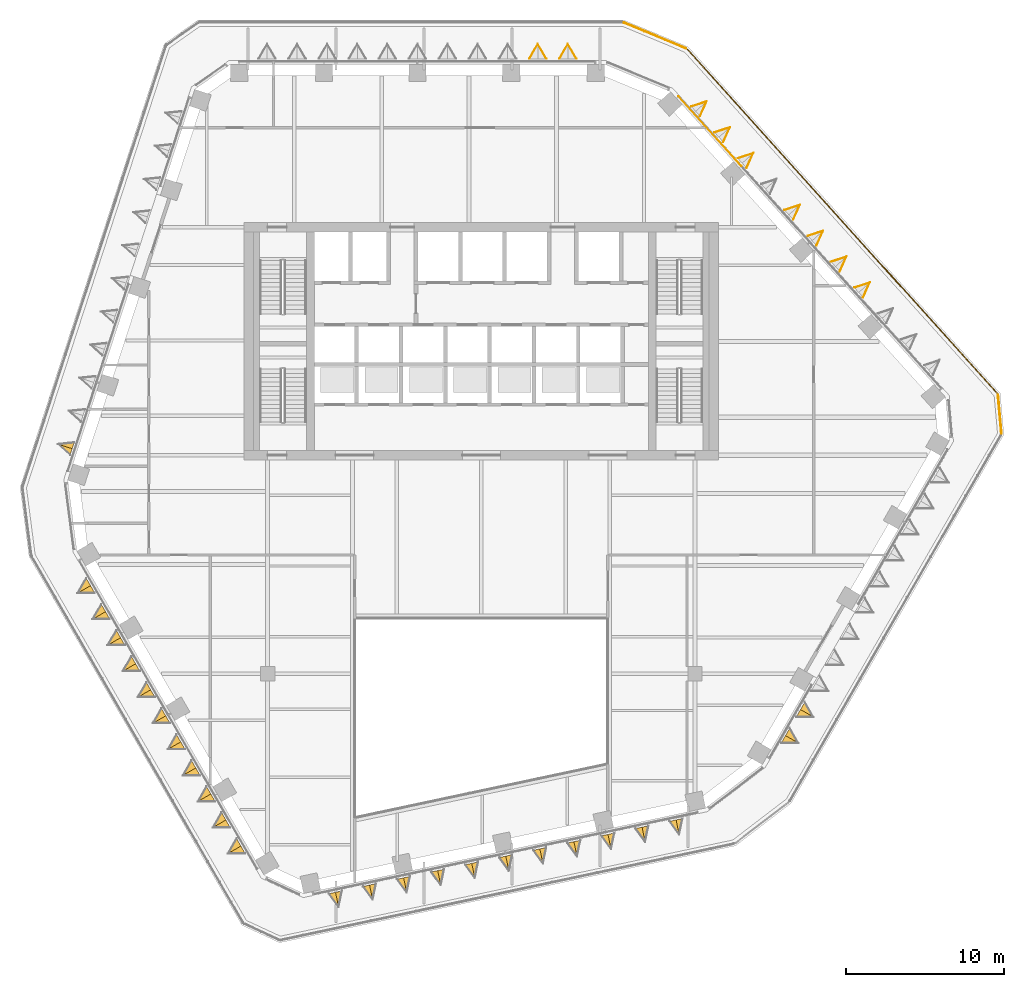
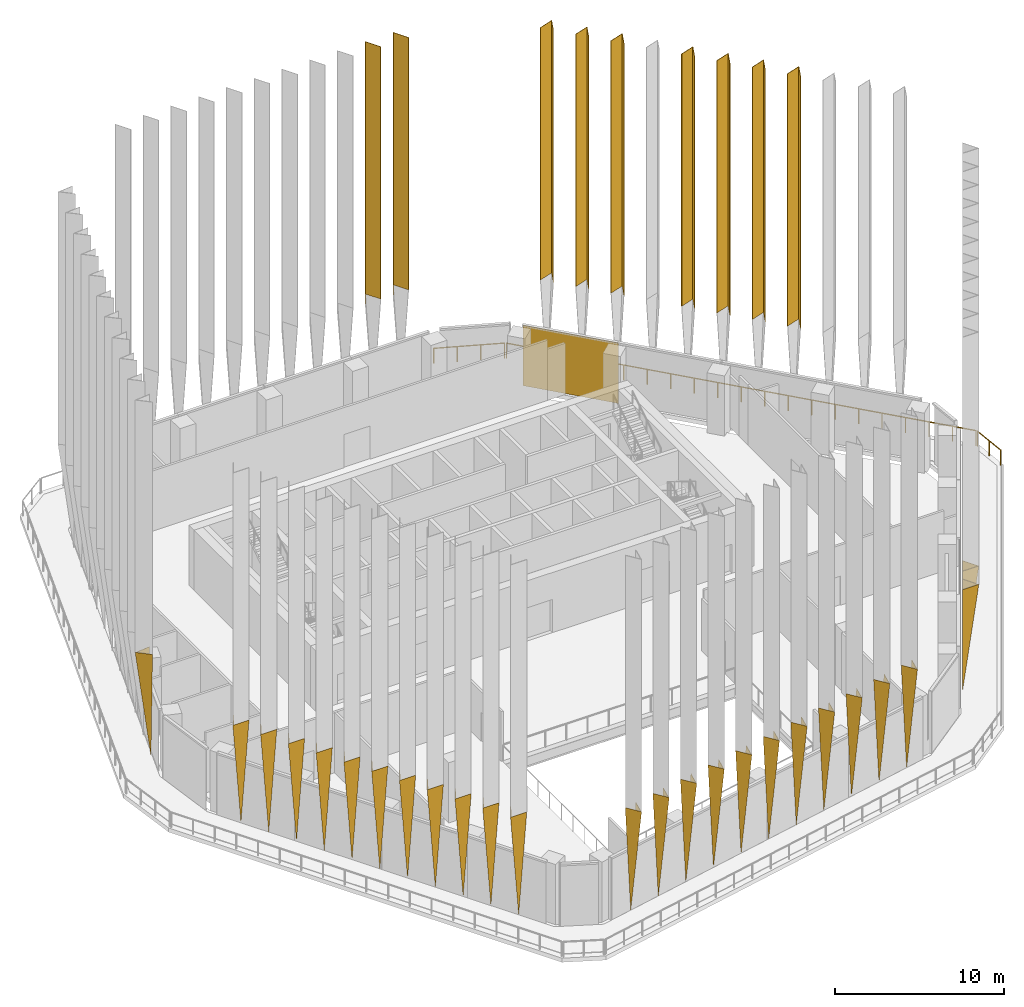
# One storey, part 18 of 21: 35 coverings, 3 railings, 1 element without a shape of its own.
"""IFC4 building model written with IfcOpenShell, lengths in metres."""

from ifc_helpers import new_model, si_unit, direction, frame, origin, origin_2d, place, context, subcontext, project, spatial, polyline, rectangle, circle, outline, extrude, faceted_brep, material, layer, layer_set, material_profile, profile_set, type_object, element, aggregate, save


model = new_model("IFC4")

# Units and contexts
model_context = context("Model", 3, precision=1e-05, world=origin(), true_north=direction((0.0, 1.0)))
body_context = subcontext(model_context, "Body", "Model", "MODEL_VIEW")
ifc_project = project(units=[si_unit("LENGTHUNIT", "METRE"), si_unit("AREAUNIT", "SQUARE_METRE"), si_unit("VOLUMEUNIT", "CUBIC_METRE"), si_unit("PLANEANGLEUNIT", "RADIAN"), si_unit("MASSUNIT", "GRAM", prefix="KILO")], contexts=[model_context])

# Site, building, storey
site_placement = place(None, origin())
site = spatial("IfcSite", under=ifc_project, at=site_placement, CompositionType="ELEMENT")
building_placement = place(site_placement, origin())
building = spatial("IfcBuilding", under=site, at=building_placement, Name="Isthmus Gate Tower", CompositionType="ELEMENT")
storey_placement = place(building_placement, frame((0.0, 0.0, 211.800048828125)))
storey = spatial("IfcBuildingStorey", under=building, at=storey_placement, Name="L53", CompositionType="ELEMENT", Elevation=211.800048828125)

# Curtain wall, covering
ifc_material_1 = material(Name="Aluminium, pale champagne anodised", Category="aluminium")
ifc_layer_1 = layer(ifc_material_1, 0.199951171875)
ifc_layer_set_1 = layer_set([ifc_layer_1], Name="CW-1 UNITISED CURTAIN WALL 200 DEEP")
curtain_wall_type = type_object("IfcCurtainWallType", Name="CW-1 UNITISED CURTAIN WALL 200 DEEP", PredefinedType="NOTDEFINED", material=ifc_layer_set_1)
curtain_wall_placement = place(storey_placement, origin())
curtain_wall = element("IfcCurtainWall", 1, at=curtain_wall_placement, inside=storey, type_object=curtain_wall_type, Name="CW-1 NE L53", PredefinedType="NOTDEFINED")
ifc_material_2 = material(Name="Aluminium composite panel, pale champagne anodised", Category="aluminium")
ifc_layer_2 = layer(ifc_material_2, 0.031982421875)
ifc_layer_set_2 = layer_set([ifc_layer_2], Name="CW-1 PALE METAL PANEL 32")
covering_type_1 = type_object("IfcCoveringType", Name="CW-1 PALE METAL PANEL 32", PredefinedType="CLADDING", material=ifc_layer_set_2)
covering_1_placement = place(storey_placement, frame((14.447021484375, 20.775390625, 0.0), z_axis=(0.0, 0.0, 1.0), x_axis=(-0.669130606359, 0.743144825477, 0.0)))
covering_1 = element("IfcCovering", 2, at=covering_1_placement, type_object=covering_type_1, Name="CW-1 pale metal panel", PredefinedType="CLADDING", context=body_context, shape_type="SweptSolid", body=[
    extrude(rectangle(XDim=5.94189453125, YDim=0.031982421875, at=origin_2d()), origin(), (0.0, 0.0, 1.0), 4.3701171875),
])
aggregate(curtain_wall, [covering_1])

# Coverings
ifc_material_3 = material(Name="Structural steel ASTM A572 Gr 50, white paint system", Category="steel")
ifc_material_profile_1 = material_profile(ifc_material_3, outline(polyline([(0.0, -0.427490234375), (0.9599609375, 0.0), (0.0, 0.427490234375), (0.0, 0.39453125), (0.88623046875, 0.0), (0.0, -0.39453125), (0.0, -0.427490234375)])), Name="V960")
ifc_profile_set_1 = profile_set([ifc_material_profile_1], Name="Structural steel ASTM A572 Gr 50, white paint system")
covering_type_2 = type_object("IfcCoveringType", Name="FIN V 960 DEEP", PredefinedType="CLADDING", material=ifc_profile_set_1)
for number, where, z_axis, x_axis, name in (
    (3, (23.846435546875, 10.58447265625, 7.75), (0.0, 0.0, 1.0), (0.743144825477, 0.669130606359, 0.0), "FIN"),
    (4, (22.374267578125, 12.21923828125, 7.75), (0.0, 0.0, 1.0), (0.743144825477, 0.669130606359, 0.0), "FIN"),
    (5, (20.90234375, 13.854248046875, 7.75), (0.0, 0.0, 1.0), (0.743144825477, 0.669130606359, 0.0), "FIN"),
    (6, (19.43017578125, 15.489013671875, 7.75), (0.0, 0.0, 1.0), (0.743144825477, 0.669130606359, 0.0), "FIN"),
    (7, (16.486083984375, 18.759033203125, 7.75), (0.0, 0.0, 1.0), (0.743144825477, 0.669130606359, 0.0), "FIN"),
    (8, (15.013916015625, 20.393798828125, 7.75), (0.0, 0.0, 1.0), (0.743144825477, 0.669130606359, 0.0), "FIN"),
    (9, (13.541748046875, 22.02880859375, 7.75), (0.0, 0.0, 1.0), (0.743144825477, 0.669130606359, 0.0), "FIN"),
):
    element("IfcCovering", number, at=place(storey_placement, frame(where, z_axis=z_axis, x_axis=x_axis)), inside=storey, type_object=covering_type_2, Name=name, ObjectType="FIN", PredefinedType="CLADDING", context=body_context, shape_type="SweptSolid", body=[
        extrude(outline(polyline([(0.0, -0.427490234375), (0.9599609375, 0.0), (0.0, 0.427490234375), (0.0, 0.39453125), (0.88623046875, 0.0), (0.0, -0.39453125), (0.0, -0.427490234375)])), origin(), (0.0, 0.0, 1.0), 18.25),
    ])
ifc_material_4 = material(Name="Structural steel ASTM A572 Gr 50, white paint system", Category="steel")
ifc_material_profile_2 = material_profile(ifc_material_4, outline(polyline([(0.0, -0.427490234375), (0.9599609375, 0.0), (0.0, 0.427490234375), (0.0, 0.39453125), (0.88623046875, 0.0), (0.0, -0.39453125), (0.0, -0.427490234375)])), Name="V960")
ifc_profile_set_2 = profile_set([ifc_material_profile_2], Name="Structural steel ASTM A572 Gr 50, white paint system")
covering_type_3 = type_object("IfcCoveringType", Name="FIN V 960 DEEP FOOT", PredefinedType="CLADDING", material=ifc_profile_set_2)
covering_2_placement = place(storey_placement, frame((0.0, 0.0, -211.800048828125)))
element("IfcCovering", 10, at=covering_2_placement, inside=storey, type_object=covering_type_3, Name="FIN", ObjectType="FIN", PredefinedType="CLADDING", context=body_context, shape_type="Brep", body=[
    faceted_brep([(-25.71630859375, 1.11962890625, 219.550048828125), (-26.761474609375, 1.009765625, 219.550048828125), (-25.98046875, 0.306640625, 219.550048828125), (-25.97021484375, 0.337890625, 219.550048828125), (-26.691162109375, 0.987060546875, 219.550048828125), (-25.7265625, 1.08837890625, 219.550048828125), (-25.848388671875, 0.713134765625, 211.89990234375)], [[[0, 1, 2, 3, 4, 5]], [[1, 0, 6]], [[2, 1, 6]], [[3, 2, 6]], [[4, 3, 6]], [[5, 4, 6]], [[0, 5, 6]]]),
])
covering_3_placement = place(storey_placement, frame((0.0, 0.0, -211.800048828125)))
element("IfcCovering", 11, at=covering_3_placement, inside=storey, type_object=covering_type_3, Name="FIN", ObjectType="FIN", PredefinedType="CLADDING", context=body_context, shape_type="Brep", body=[
    faceted_brep([(-9.630615234375, -27.40478515625, 219.550048828125), (-9.012939453125, -28.2548828125, 219.550048828125), (-8.794677734375, -27.22705078125, 219.550048828125), (-8.82666015625, -27.23388671875, 219.550048828125), (-9.0283203125, -28.182861328125, 219.550048828125), (-9.5986328125, -27.39794921875, 219.550048828125), (-9.212646484375, -27.31591796875, 211.89990234375)], [[[0, 1, 2, 3, 4, 5]], [[1, 0, 6]], [[2, 1, 6]], [[3, 2, 6]], [[4, 3, 6]], [[5, 4, 6]], [[0, 5, 6]]]),
])
covering_4_placement = place(storey_placement, frame((0.0, 0.0, -211.800048828125)))
element("IfcCovering", 12, at=covering_4_placement, inside=storey, type_object=covering_type_3, Name="FIN", ObjectType="FIN", PredefinedType="CLADDING", context=body_context, shape_type="Brep", body=[
    faceted_brep([(-7.478759765625, -26.947509765625, 219.550048828125), (-6.861083984375, -27.797607421875, 219.550048828125), (-6.642822265625, -26.769775390625, 219.550048828125), (-6.6748046875, -26.776611328125, 219.550048828125), (-6.87646484375, -27.7255859375, 219.550048828125), (-7.44677734375, -26.940673828125, 219.550048828125), (-7.060791015625, -26.858642578125, 211.89990234375)], [[[0, 1, 2, 3, 4, 5]], [[1, 0, 6]], [[2, 1, 6]], [[3, 2, 6]], [[4, 3, 6]], [[5, 4, 6]], [[0, 5, 6]]]),
])
covering_5_placement = place(storey_placement, frame((0.0, 0.0, -211.800048828125)))
element("IfcCovering", 13, at=covering_5_placement, inside=storey, type_object=covering_type_3, Name="FIN", ObjectType="FIN", PredefinedType="CLADDING", context=body_context, shape_type="Brep", body=[
    faceted_brep([(-5.326904296875, -26.489990234375, 219.550048828125), (-4.709228515625, -27.340087890625, 219.550048828125), (-4.490966796875, -26.312255859375, 219.550048828125), (-4.52294921875, -26.319091796875, 219.550048828125), (-4.724609375, -27.26806640625, 219.550048828125), (-5.294921875, -26.483154296875, 219.550048828125), (-4.908935546875, -26.401123046875, 211.89990234375)], [[[0, 1, 2, 3, 4, 5]], [[1, 0, 6]], [[2, 1, 6]], [[3, 2, 6]], [[4, 3, 6]], [[5, 4, 6]], [[0, 5, 6]]]),
])
covering_6_placement = place(storey_placement, frame((0.0, 0.0, -211.800048828125)))
element("IfcCovering", 14, at=covering_6_placement, inside=storey, type_object=covering_type_3, Name="FIN", ObjectType="FIN", PredefinedType="CLADDING", context=body_context, shape_type="Brep", body=[
    faceted_brep([(-3.1748046875, -26.03271484375, 219.550048828125), (-2.55712890625, -26.8828125, 219.550048828125), (-2.3388671875, -25.85498046875, 219.550048828125), (-2.370849609375, -25.86181640625, 219.550048828125), (-2.572509765625, -26.810791015625, 219.550048828125), (-3.142822265625, -26.02587890625, 219.550048828125), (-2.7568359375, -25.94384765625, 211.89990234375)], [[[0, 1, 2, 3, 4, 5]], [[1, 0, 6]], [[2, 1, 6]], [[3, 2, 6]], [[4, 3, 6]], [[5, 4, 6]], [[0, 5, 6]]]),
])
covering_7_placement = place(storey_placement, frame((0.0, 0.0, -211.800048828125)))
element("IfcCovering", 15, at=covering_7_placement, inside=storey, type_object=covering_type_3, Name="FIN", ObjectType="FIN", PredefinedType="CLADDING", context=body_context, shape_type="Brep", body=[
    faceted_brep([(-1.02294921875, -25.5751953125, 219.550048828125), (-0.4052734375, -26.42529296875, 219.550048828125), (-0.18701171875, -25.3974609375, 219.550048828125), (-0.218994140625, -25.404296875, 219.550048828125), (-0.420654296875, -26.353271484375, 219.550048828125), (-0.990966796875, -25.568359375, 219.550048828125), (-0.60498046875, -25.486328125, 211.89990234375)], [[[0, 1, 2, 3, 4, 5]], [[1, 0, 6]], [[2, 1, 6]], [[3, 2, 6]], [[4, 3, 6]], [[5, 4, 6]], [[0, 5, 6]]]),
])
covering_8_placement = place(storey_placement, frame((0.0, 0.0, -211.800048828125)))
element("IfcCovering", 16, at=covering_8_placement, inside=storey, type_object=covering_type_3, Name="FIN", ObjectType="FIN", PredefinedType="CLADDING", context=body_context, shape_type="Brep", body=[
    faceted_brep([(1.12890625, -25.117919921875, 219.550048828125), (1.74658203125, -25.968017578125, 219.550048828125), (1.96484375, -24.940185546875, 219.550048828125), (1.932861328125, -24.947021484375, 219.550048828125), (1.731201171875, -25.89599609375, 219.550048828125), (1.160888671875, -25.111083984375, 219.550048828125), (1.546875, -25.029052734375, 211.89990234375)], [[[0, 1, 2, 3, 4, 5]], [[1, 0, 6]], [[2, 1, 6]], [[3, 2, 6]], [[4, 3, 6]], [[5, 4, 6]], [[0, 5, 6]]]),
])
covering_9_placement = place(storey_placement, frame((0.0, 0.0, -211.800048828125)))
element("IfcCovering", 17, at=covering_9_placement, inside=storey, type_object=covering_type_3, Name="FIN", ObjectType="FIN", PredefinedType="CLADDING", context=body_context, shape_type="Brep", body=[
    faceted_brep([(3.281005859375, -24.660400390625, 219.550048828125), (3.898681640625, -25.510498046875, 219.550048828125), (4.116943359375, -24.482666015625, 219.550048828125), (4.0849609375, -24.489501953125, 219.550048828125), (3.88330078125, -25.4384765625, 219.550048828125), (3.31298828125, -24.653564453125, 219.550048828125), (3.698974609375, -24.571533203125, 211.89990234375)], [[[0, 1, 2, 3, 4, 5]], [[1, 0, 6]], [[2, 1, 6]], [[3, 2, 6]], [[4, 3, 6]], [[5, 4, 6]], [[0, 5, 6]]]),
])
covering_10_placement = place(storey_placement, frame((0.0, 0.0, -211.800048828125)))
element("IfcCovering", 18, at=covering_10_placement, inside=storey, type_object=covering_type_3, Name="FIN", ObjectType="FIN", PredefinedType="CLADDING", context=body_context, shape_type="Brep", body=[
    faceted_brep([(5.432861328125, -24.203125, 219.550048828125), (6.050537109375, -25.05322265625, 219.550048828125), (6.268798828125, -24.025390625, 219.550048828125), (6.23681640625, -24.0322265625, 219.550048828125), (6.03515625, -24.981201171875, 219.550048828125), (5.46484375, -24.1962890625, 219.550048828125), (5.850830078125, -24.1142578125, 211.89990234375)], [[[0, 1, 2, 3, 4, 5]], [[1, 0, 6]], [[2, 1, 6]], [[3, 2, 6]], [[4, 3, 6]], [[5, 4, 6]], [[0, 5, 6]]]),
])
covering_11_placement = place(storey_placement, frame((0.0, 0.0, -211.800048828125)))
element("IfcCovering", 19, at=covering_11_placement, inside=storey, type_object=covering_type_3, Name="FIN", ObjectType="FIN", PredefinedType="CLADDING", context=body_context, shape_type="Brep", body=[
    faceted_brep([(7.584716796875, -23.74560546875, 219.550048828125), (8.202392578125, -24.595703125, 219.550048828125), (8.420654296875, -23.56787109375, 219.550048828125), (8.388671875, -23.57470703125, 219.550048828125), (8.18701171875, -24.523681640625, 219.550048828125), (7.61669921875, -23.73876953125, 219.550048828125), (8.002685546875, -23.65673828125, 211.89990234375)], [[[0, 1, 2, 3, 4, 5]], [[1, 0, 6]], [[2, 1, 6]], [[3, 2, 6]], [[4, 3, 6]], [[5, 4, 6]], [[0, 5, 6]]]),
])
covering_12_placement = place(storey_placement, frame((0.0, 0.0, -211.800048828125)))
element("IfcCovering", 20, at=covering_12_placement, inside=storey, type_object=covering_type_3, Name="FIN", ObjectType="FIN", PredefinedType="CLADDING", context=body_context, shape_type="Brep", body=[
    faceted_brep([(9.736572265625, -23.288330078125, 219.550048828125), (10.354248046875, -24.138427734375, 219.550048828125), (10.572509765625, -23.110595703125, 219.550048828125), (10.54052734375, -23.117431640625, 219.550048828125), (10.3388671875, -24.06640625, 219.550048828125), (9.7685546875, -23.281494140625, 219.550048828125), (10.154541015625, -23.199462890625, 211.89990234375)], [[[0, 1, 2, 3, 4, 5]], [[1, 0, 6]], [[2, 1, 6]], [[3, 2, 6]], [[4, 3, 6]], [[5, 4, 6]], [[0, 5, 6]]]),
])
covering_13_placement = place(storey_placement, frame((0.0, 0.0, -211.800048828125)))
element("IfcCovering", 21, at=covering_13_placement, inside=storey, type_object=covering_type_3, Name="FIN", ObjectType="FIN", PredefinedType="CLADDING", context=body_context, shape_type="Brep", body=[
    faceted_brep([(11.888671875, -22.830810546875, 219.550048828125), (12.50634765625, -23.680908203125, 219.550048828125), (12.724609375, -22.653076171875, 219.550048828125), (12.692626953125, -22.659912109375, 219.550048828125), (12.490966796875, -23.60888671875, 219.550048828125), (11.920654296875, -22.823974609375, 219.550048828125), (12.306640625, -22.741943359375, 211.89990234375)], [[[0, 1, 2, 3, 4, 5]], [[1, 0, 6]], [[2, 1, 6]], [[3, 2, 6]], [[4, 3, 6]], [[5, 4, 6]], [[0, 5, 6]]]),
])
ifc_material_5 = material(Name="Structural steel ASTM A572 Gr 50, white paint system", Category="steel")
ifc_material_profile_3 = material_profile(ifc_material_5, outline(polyline([(0.0, -0.55419921875), (0.9599609375, 0.0), (0.0, 0.55419921875), (0.0, 0.51953125), (0.89990234375, 0.0), (0.0, -0.51953125), (0.0, -0.55419921875)])), Name="V960W")
ifc_profile_set_3 = profile_set([ifc_material_profile_3], Name="Structural steel ASTM A572 Gr 50, white paint system")
covering_type_4 = type_object("IfcCoveringType", Name="FIN V 960 DEEP WIDE", PredefinedType="CLADDING", material=ifc_profile_set_3)
for number, where, z_axis, x_axis, name in (
    (22, (5.469970703125, 25.35009765625, 7.75), (0.0, 0.0, 1.0), (0.0, 1.0, 0.0), "FIN"),
    (23, (3.56982421875, 25.35009765625, 7.75), (0.0, 0.0, 1.0), (0.0, 1.0, 0.0), "FIN"),
):
    element("IfcCovering", number, at=place(storey_placement, frame(where, z_axis=z_axis, x_axis=x_axis)), inside=storey, type_object=covering_type_4, Name=name, ObjectType="FIN", PredefinedType="CLADDING", context=body_context, shape_type="SweptSolid", body=[
        extrude(outline(polyline([(0.0, -0.55419921875), (0.9599609375, 0.0), (0.0, 0.55419921875), (0.0, 0.51953125), (0.89990234375, 0.0), (0.0, -0.51953125), (0.0, -0.55419921875)])), origin(), (0.0, 0.0, 1.0), 18.25),
    ])
ifc_material_6 = material(Name="Structural steel ASTM A572 Gr 50, white paint system", Category="steel")
ifc_material_profile_4 = material_profile(ifc_material_6, outline(polyline([(0.0, -0.55419921875), (0.9599609375, 0.0), (0.0, 0.55419921875), (0.0, 0.51953125), (0.89990234375, 0.0), (0.0, -0.51953125), (0.0, -0.55419921875)])), Name="V960W")
ifc_profile_set_4 = profile_set([ifc_material_profile_4], Name="Structural steel ASTM A572 Gr 50, white paint system")
covering_type_5 = type_object("IfcCoveringType", Name="FIN V 960 DEEP WIDE FOOT", PredefinedType="CLADDING", material=ifc_profile_set_4)
covering_14_placement = place(storey_placement, frame((0.0, 0.0, -211.800048828125)))
element("IfcCovering", 24, at=covering_14_placement, inside=storey, type_object=covering_type_5, Name="FIN", ObjectType="FIN", PredefinedType="CLADDING", context=body_context, shape_type="Brep", body=[
    faceted_brep([(-24.9658203125, -7.4580078125, 219.550048828125), (-25.52001953125, -8.41796875, 219.550048828125), (-24.41162109375, -8.41796875, 219.550048828125), (-24.428955078125, -8.387939453125, 219.550048828125), (-25.46826171875, -8.387939453125, 219.550048828125), (-24.948486328125, -7.488037109375, 219.550048828125), (-24.688720703125, -7.93798828125, 211.89990234375)], [[[0, 1, 2, 3, 4, 5]], [[1, 0, 6]], [[2, 1, 6]], [[3, 2, 6]], [[4, 3, 6]], [[5, 4, 6]], [[0, 5, 6]]]),
])
covering_15_placement = place(storey_placement, frame((0.0, 0.0, -211.800048828125)))
element("IfcCovering", 25, at=covering_15_placement, inside=storey, type_object=covering_type_5, Name="FIN", ObjectType="FIN", PredefinedType="CLADDING", context=body_context, shape_type="Brep", body=[
    faceted_brep([(-24.015869140625, -9.103271484375, 219.550048828125), (-24.570068359375, -10.063232421875, 219.550048828125), (-23.461669921875, -10.063232421875, 219.550048828125), (-23.47900390625, -10.033203125, 219.550048828125), (-24.518310546875, -10.033203125, 219.550048828125), (-23.99853515625, -9.13330078125, 219.550048828125), (-23.73876953125, -9.583251953125, 211.89990234375)], [[[0, 1, 2, 3, 4, 5]], [[1, 0, 6]], [[2, 1, 6]], [[3, 2, 6]], [[4, 3, 6]], [[5, 4, 6]], [[0, 5, 6]]]),
])
covering_16_placement = place(storey_placement, frame((0.0, 0.0, -211.800048828125)))
element("IfcCovering", 26, at=covering_16_placement, inside=storey, type_object=covering_type_5, Name="FIN", ObjectType="FIN", PredefinedType="CLADDING", context=body_context, shape_type="Brep", body=[
    faceted_brep([(-23.06591796875, -10.748779296875, 219.550048828125), (-23.6201171875, -11.708740234375, 219.550048828125), (-22.51171875, -11.708740234375, 219.550048828125), (-22.529052734375, -11.6787109375, 219.550048828125), (-23.568359375, -11.6787109375, 219.550048828125), (-23.048583984375, -10.77880859375, 219.550048828125), (-22.788818359375, -11.228759765625, 211.89990234375)], [[[0, 1, 2, 3, 4, 5]], [[1, 0, 6]], [[2, 1, 6]], [[3, 2, 6]], [[4, 3, 6]], [[5, 4, 6]], [[0, 5, 6]]]),
])
covering_17_placement = place(storey_placement, frame((0.0, 0.0, -211.800048828125)))
element("IfcCovering", 27, at=covering_17_placement, inside=storey, type_object=covering_type_5, Name="FIN", ObjectType="FIN", PredefinedType="CLADDING", context=body_context, shape_type="Brep", body=[
    faceted_brep([(-22.11572265625, -12.394287109375, 219.550048828125), (-22.669921875, -13.354248046875, 219.550048828125), (-21.5615234375, -13.354248046875, 219.550048828125), (-21.578857421875, -13.32421875, 219.550048828125), (-22.6181640625, -13.32421875, 219.550048828125), (-22.098388671875, -12.42431640625, 219.550048828125), (-21.838623046875, -12.874267578125, 211.89990234375)], [[[0, 1, 2, 3, 4, 5]], [[1, 0, 6]], [[2, 1, 6]], [[3, 2, 6]], [[4, 3, 6]], [[5, 4, 6]], [[0, 5, 6]]]),
])
covering_18_placement = place(storey_placement, frame((0.0, 0.0, -211.800048828125)))
element("IfcCovering", 28, at=covering_18_placement, inside=storey, type_object=covering_type_5, Name="FIN", ObjectType="FIN", PredefinedType="CLADDING", context=body_context, shape_type="Brep", body=[
    faceted_brep([(-21.165771484375, -14.039794921875, 219.550048828125), (-21.719970703125, -14.999755859375, 219.550048828125), (-20.611572265625, -14.999755859375, 219.550048828125), (-20.62890625, -14.9697265625, 219.550048828125), (-21.668212890625, -14.9697265625, 219.550048828125), (-21.1484375, -14.06982421875, 219.550048828125), (-20.888671875, -14.519775390625, 211.89990234375)], [[[0, 1, 2, 3, 4, 5]], [[1, 0, 6]], [[2, 1, 6]], [[3, 2, 6]], [[4, 3, 6]], [[5, 4, 6]], [[0, 5, 6]]]),
])
covering_19_placement = place(storey_placement, frame((0.0, 0.0, -211.800048828125)))
element("IfcCovering", 29, at=covering_19_placement, inside=storey, type_object=covering_type_5, Name="FIN", ObjectType="FIN", PredefinedType="CLADDING", context=body_context, shape_type="Brep", body=[
    faceted_brep([(-20.2158203125, -15.68505859375, 219.550048828125), (-20.77001953125, -16.64501953125, 219.550048828125), (-19.66162109375, -16.64501953125, 219.550048828125), (-19.678955078125, -16.614990234375, 219.550048828125), (-20.71826171875, -16.614990234375, 219.550048828125), (-20.198486328125, -15.715087890625, 219.550048828125), (-19.938720703125, -16.1650390625, 211.89990234375)], [[[0, 1, 2, 3, 4, 5]], [[1, 0, 6]], [[2, 1, 6]], [[3, 2, 6]], [[4, 3, 6]], [[5, 4, 6]], [[0, 5, 6]]]),
])
covering_20_placement = place(storey_placement, frame((0.0, 0.0, -211.800048828125)))
element("IfcCovering", 30, at=covering_20_placement, inside=storey, type_object=covering_type_5, Name="FIN", ObjectType="FIN", PredefinedType="CLADDING", context=body_context, shape_type="Brep", body=[
    faceted_brep([(-19.265869140625, -17.33056640625, 219.550048828125), (-19.820068359375, -18.29052734375, 219.550048828125), (-18.711669921875, -18.29052734375, 219.550048828125), (-18.72900390625, -18.260498046875, 219.550048828125), (-19.768310546875, -18.260498046875, 219.550048828125), (-19.24853515625, -17.360595703125, 219.550048828125), (-18.98876953125, -17.810546875, 211.89990234375)], [[[0, 1, 2, 3, 4, 5]], [[1, 0, 6]], [[2, 1, 6]], [[3, 2, 6]], [[4, 3, 6]], [[5, 4, 6]], [[0, 5, 6]]]),
])
covering_21_placement = place(storey_placement, frame((0.0, 0.0, -211.800048828125)))
element("IfcCovering", 31, at=covering_21_placement, inside=storey, type_object=covering_type_5, Name="FIN", ObjectType="FIN", PredefinedType="CLADDING", context=body_context, shape_type="Brep", body=[
    faceted_brep([(-18.31591796875, -18.97607421875, 219.550048828125), (-18.8701171875, -19.93603515625, 219.550048828125), (-17.76171875, -19.93603515625, 219.550048828125), (-17.779052734375, -19.906005859375, 219.550048828125), (-18.818359375, -19.906005859375, 219.550048828125), (-18.298583984375, -19.006103515625, 219.550048828125), (-18.038818359375, -19.4560546875, 211.89990234375)], [[[0, 1, 2, 3, 4, 5]], [[1, 0, 6]], [[2, 1, 6]], [[3, 2, 6]], [[4, 3, 6]], [[5, 4, 6]], [[0, 5, 6]]]),
])
covering_22_placement = place(storey_placement, frame((0.0, 0.0, -211.800048828125)))
element("IfcCovering", 32, at=covering_22_placement, inside=storey, type_object=covering_type_5, Name="FIN", ObjectType="FIN", PredefinedType="CLADDING", context=body_context, shape_type="Brep", body=[
    faceted_brep([(-17.36572265625, -20.62158203125, 219.550048828125), (-17.919921875, -21.58154296875, 219.550048828125), (-16.8115234375, -21.58154296875, 219.550048828125), (-16.828857421875, -21.551513671875, 219.550048828125), (-17.8681640625, -21.551513671875, 219.550048828125), (-17.348388671875, -20.651611328125, 219.550048828125), (-17.088623046875, -21.1015625, 211.89990234375)], [[[0, 1, 2, 3, 4, 5]], [[1, 0, 6]], [[2, 1, 6]], [[3, 2, 6]], [[4, 3, 6]], [[5, 4, 6]], [[0, 5, 6]]]),
])
covering_23_placement = place(storey_placement, frame((0.0, 0.0, -211.800048828125)))
element("IfcCovering", 33, at=covering_23_placement, inside=storey, type_object=covering_type_5, Name="FIN", ObjectType="FIN", PredefinedType="CLADDING", context=body_context, shape_type="Brep", body=[
    faceted_brep([(-16.415771484375, -22.26708984375, 219.550048828125), (-16.969970703125, -23.22705078125, 219.550048828125), (-15.861572265625, -23.22705078125, 219.550048828125), (-15.87890625, -23.197021484375, 219.550048828125), (-16.918212890625, -23.197021484375, 219.550048828125), (-16.3984375, -22.297119140625, 219.550048828125), (-16.138671875, -22.7470703125, 211.89990234375)], [[[0, 1, 2, 3, 4, 5]], [[1, 0, 6]], [[2, 1, 6]], [[3, 2, 6]], [[4, 3, 6]], [[5, 4, 6]], [[0, 5, 6]]]),
])
covering_24_placement = place(storey_placement, frame((0.0, 0.0, -211.800048828125)))
element("IfcCovering", 34, at=covering_24_placement, inside=storey, type_object=covering_type_5, Name="FIN", ObjectType="FIN", PredefinedType="CLADDING", context=body_context, shape_type="Brep", body=[
    faceted_brep([(-15.4658203125, -23.912353515625, 219.550048828125), (-16.02001953125, -24.872314453125, 219.550048828125), (-14.91162109375, -24.872314453125, 219.550048828125), (-14.928955078125, -24.84228515625, 219.550048828125), (-15.96826171875, -24.84228515625, 219.550048828125), (-15.448486328125, -23.9423828125, 219.550048828125), (-15.188720703125, -24.392333984375, 211.89990234375)], [[[0, 1, 2, 3, 4, 5]], [[1, 0, 6]], [[2, 1, 6]], [[3, 2, 6]], [[4, 3, 6]], [[5, 4, 6]], [[0, 5, 6]]]),
])
covering_25_placement = place(storey_placement, frame((0.0, 0.0, -211.800048828125)))
element("IfcCovering", 35, at=covering_25_placement, inside=storey, type_object=covering_type_5, Name="FIN", ObjectType="FIN", PredefinedType="CLADDING", context=body_context, shape_type="Brep", body=[
    faceted_brep([(18.941650390625, -17.89208984375, 219.550048828125), (20.050048828125, -17.89208984375, 219.550048828125), (19.495849609375, -16.93212890625, 219.550048828125), (19.478515625, -16.962158203125, 219.550048828125), (19.998291015625, -17.862060546875, 219.550048828125), (18.958984375, -17.862060546875, 219.550048828125), (19.21875, -17.412109375, 211.89990234375)], [[[0, 1, 2, 3, 4, 5]], [[1, 0, 6]], [[2, 1, 6]], [[3, 2, 6]], [[4, 3, 6]], [[5, 4, 6]], [[0, 5, 6]]]),
])
covering_26_placement = place(storey_placement, frame((0.0, 0.0, -211.800048828125)))
element("IfcCovering", 36, at=covering_26_placement, inside=storey, type_object=covering_type_5, Name="FIN", ObjectType="FIN", PredefinedType="CLADDING", context=body_context, shape_type="Brep", body=[
    faceted_brep([(19.8916015625, -16.24658203125, 219.550048828125), (21.0, -16.24658203125, 219.550048828125), (20.44580078125, -15.28662109375, 219.550048828125), (20.428466796875, -15.316650390625, 219.550048828125), (20.9482421875, -16.216552734375, 219.550048828125), (19.908935546875, -16.216552734375, 219.550048828125), (20.168701171875, -15.7666015625, 211.89990234375)], [[[0, 1, 2, 3, 4, 5]], [[1, 0, 6]], [[2, 1, 6]], [[3, 2, 6]], [[4, 3, 6]], [[5, 4, 6]], [[0, 5, 6]]]),
])

# Railings
ifc_material_7 = material(Name="Stainless steel posts and toughened laminated glass", Category="steel")
railing_type = type_object("IfcRailingType", Name="GUARD 1100 LEDGE GLASS", PredefinedType="GUARDRAIL", material=ifc_material_7)
railing_1_placement = place(storey_placement, frame((9.024169921875, 27.626953125, 0.0)))
element("IfcRailing", 37, at=railing_1_placement, inside=storey, type_object=railing_type, Name="LEDGE GUARD", PredefinedType="GUARDRAIL", context=body_context, shape_type="SweptSolid", body=[
    extrude(circle(Radius=0.02490234375, at=origin_2d()), frame((0.0, 0.0, 1.0751953125), z_axis=(0.923356062757, -0.383944763436, 0.0), x_axis=(0.383944763436, 0.923356062757, 0.0)), (0.0, 0.0, 1.0), 4.239990234375),
    extrude(circle(Radius=0.02490234375, at=origin_2d()), origin(), (0.0, 0.0, 1.0), 1.050048828125),
    extrude(circle(Radius=0.02490234375, at=origin_2d()), frame((1.304931640625, -0.542724609375, 0.0)), (0.0, 0.0, 1.0), 1.050048828125),
    extrude(circle(Radius=0.02490234375, at=origin_2d()), frame((2.610107421875, -1.085205078125, 0.0)), (0.0, 0.0, 1.0), 1.050048828125),
    extrude(circle(Radius=0.02490234375, at=origin_2d()), frame((3.9150390625, -1.6279296875, 0.0)), (0.0, 0.0, 1.0), 1.050048828125),
])
railing_2_placement = place(storey_placement, frame((13.03466796875, 25.931396484375, 0.0)))
element("IfcRailing", 38, at=railing_2_placement, inside=storey, type_object=railing_type, Name="LEDGE GUARD", PredefinedType="GUARDRAIL", context=body_context, shape_type="SweptSolid", body=[
    extrude(circle(Radius=0.02490234375, at=origin_2d()), frame((0.0, 0.0, 1.0751953125), z_axis=(0.669133967694, -0.743141798904, 0.0), x_axis=(0.743141798904, 0.669133967694, 0.0)), (0.0, 0.0, 1.0), 29.24755859375),
    extrude(circle(Radius=0.02490234375, at=origin_2d()), origin(), (0.0, 0.0, 1.0), 1.050048828125),
    extrude(circle(Radius=0.02490234375, at=origin_2d()), frame((0.978515625, -1.086669921875, 0.0)), (0.0, 0.0, 1.0), 1.050048828125),
    extrude(circle(Radius=0.02490234375, at=origin_2d()), frame((1.95703125, -2.173583984375, 0.0)), (0.0, 0.0, 1.0), 1.050048828125),
    extrude(circle(Radius=0.02490234375, at=origin_2d()), frame((2.935546875, -3.26025390625, 0.0)), (0.0, 0.0, 1.0), 1.050048828125),
    extrude(circle(Radius=0.02490234375, at=origin_2d()), frame((3.9140625, -4.346923828125, 0.0)), (0.0, 0.0, 1.0), 1.050048828125),
    extrude(circle(Radius=0.02490234375, at=origin_2d()), frame((4.892578125, -5.433837890625, 0.0)), (0.0, 0.0, 1.0), 1.050048828125),
    extrude(circle(Radius=0.02490234375, at=origin_2d()), frame((5.87109375, -6.5205078125, 0.0)), (0.0, 0.0, 1.0), 1.050048828125),
    extrude(circle(Radius=0.02490234375, at=origin_2d()), frame((6.849609375, -7.607177734375, 0.0)), (0.0, 0.0, 1.0), 1.050048828125),
    extrude(circle(Radius=0.02490234375, at=origin_2d()), frame((7.828125, -8.694091796875, 0.0)), (0.0, 0.0, 1.0), 1.050048828125),
    extrude(circle(Radius=0.02490234375, at=origin_2d()), frame((8.806640625, -9.78076171875, 0.0)), (0.0, 0.0, 1.0), 1.050048828125),
    extrude(circle(Radius=0.02490234375, at=origin_2d()), frame((9.78515625, -10.86767578125, 0.0)), (0.0, 0.0, 1.0), 1.050048828125),
    extrude(circle(Radius=0.02490234375, at=origin_2d()), frame((10.763916015625, -11.954345703125, 0.0)), (0.0, 0.0, 1.0), 1.050048828125),
    extrude(circle(Radius=0.02490234375, at=origin_2d()), frame((11.742431640625, -13.041015625, 0.0)), (0.0, 0.0, 1.0), 1.050048828125),
    extrude(circle(Radius=0.02490234375, at=origin_2d()), frame((12.720947265625, -14.1279296875, 0.0)), (0.0, 0.0, 1.0), 1.050048828125),
    extrude(circle(Radius=0.02490234375, at=origin_2d()), frame((13.699462890625, -15.214599609375, 0.0)), (0.0, 0.0, 1.0), 1.050048828125),
    extrude(circle(Radius=0.02490234375, at=origin_2d()), frame((14.677978515625, -16.30126953125, 0.0)), (0.0, 0.0, 1.0), 1.050048828125),
    extrude(circle(Radius=0.02490234375, at=origin_2d()), frame((15.656494140625, -17.38818359375, 0.0)), (0.0, 0.0, 1.0), 1.050048828125),
    extrude(circle(Radius=0.02490234375, at=origin_2d()), frame((16.635009765625, -18.474853515625, 0.0)), (0.0, 0.0, 1.0), 1.050048828125),
    extrude(circle(Radius=0.02490234375, at=origin_2d()), frame((17.613525390625, -19.5615234375, 0.0)), (0.0, 0.0, 1.0), 1.050048828125),
    extrude(circle(Radius=0.02490234375, at=origin_2d()), frame((18.592041015625, -20.6484375, 0.0)), (0.0, 0.0, 1.0), 1.050048828125),
    extrude(circle(Radius=0.02490234375, at=origin_2d()), frame((19.570556640625, -21.735107421875, 0.0)), (0.0, 0.0, 1.0), 1.050048828125),
])
railing_3_placement = place(storey_placement, frame((32.650634765625, 4.091796875, 0.0)))
element("IfcRailing", 39, at=railing_3_placement, inside=storey, type_object=railing_type, Name="LEDGE GUARD", PredefinedType="GUARDRAIL", context=body_context, shape_type="SweptSolid", body=[
    extrude(circle(Radius=0.02490234375, at=origin_2d()), frame((0.0, 0.0, 1.0751953125), z_axis=(0.089355985978, -0.995999752897, 0.0), x_axis=(0.995999752897, 0.089355985978, 0.0)), (0.0, 0.0, 1.0), 2.406982421875),
    extrude(circle(Radius=0.02490234375, at=origin_2d()), origin(), (0.0, 0.0, 1.0), 1.050048828125),
    extrude(circle(Radius=0.02490234375, at=origin_2d()), frame((0.107421875, -1.19873046875, 0.0)), (0.0, 0.0, 1.0), 1.050048828125),
    extrude(circle(Radius=0.02490234375, at=origin_2d()), frame((0.215087890625, -2.3974609375, 0.0)), (0.0, 0.0, 1.0), 1.050048828125),
])

save(model, "model.ifc")
